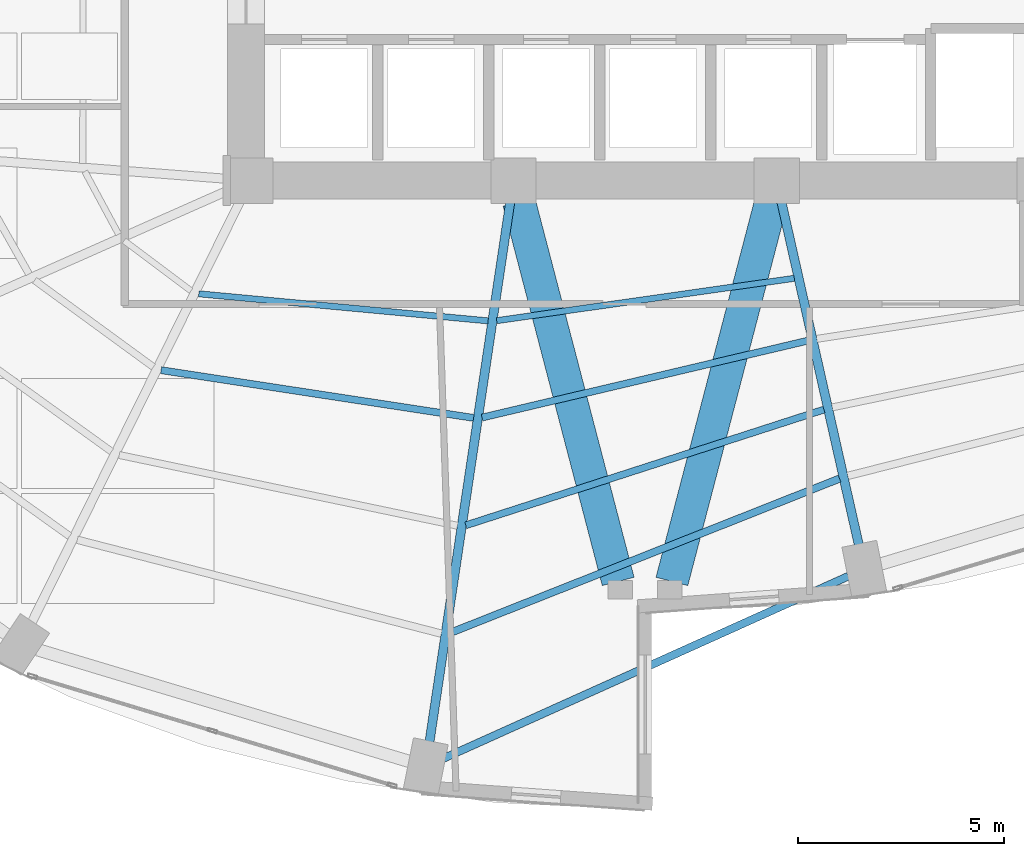
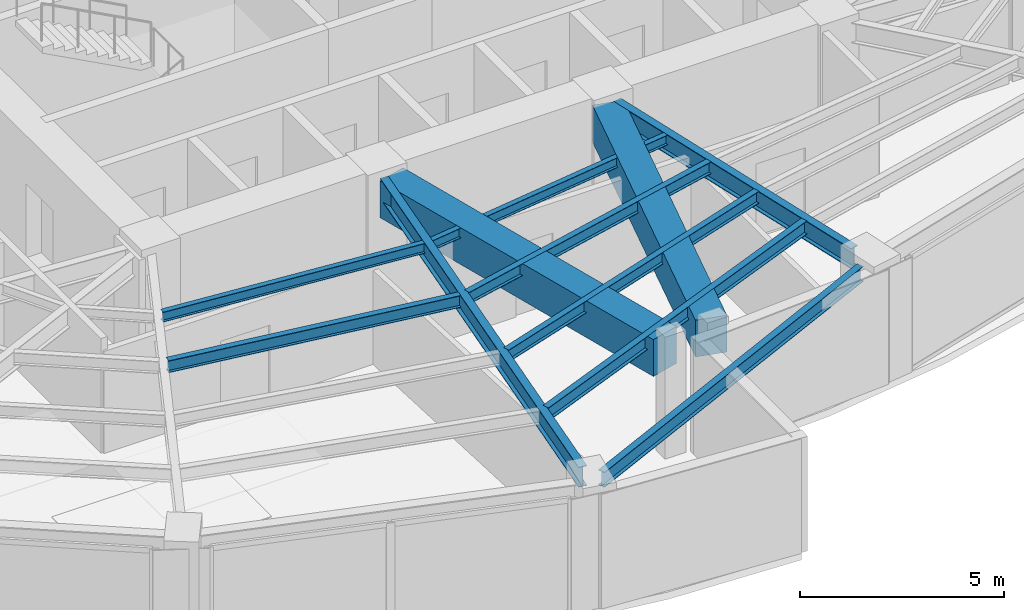
# One storey, part 6 of 24: 11 beams.
"""IFC4 building model written with IfcOpenShell, lengths in metres."""

from ifc_helpers import new_model, si_unit, direction, frame, origin, origin_2d, place, context, subcontext, project, spatial, rectangle, i_section, extrude, material, material_profile, profile_set, type_object, element, save


model = new_model("IFC4")

# Units and contexts
model_context = context("Model", 3, precision=1e-05, world=origin(), true_north=direction((0.0, 1.0)))
body_context = subcontext(model_context, "Body", "Model", "MODEL_VIEW")
ifc_project = project(units=[si_unit("LENGTHUNIT", "METRE"), si_unit("AREAUNIT", "SQUARE_METRE"), si_unit("VOLUMEUNIT", "CUBIC_METRE"), si_unit("PLANEANGLEUNIT", "RADIAN"), si_unit("MASSUNIT", "GRAM", prefix="KILO")], contexts=[model_context])

# Site, building, storey
site_placement = place(None, origin())
site = spatial("IfcSite", under=ifc_project, at=site_placement, CompositionType="ELEMENT")
building_placement = place(site_placement, origin())
building = spatial("IfcBuilding", under=site, at=building_placement, Name="Lazwardi Medical Tower", CompositionType="ELEMENT")
storey_placement = place(building_placement, frame((0.0, 0.0, 68.97607421875)))
storey = spatial("IfcBuildingStorey", under=building, at=storey_placement, Name="L17", CompositionType="ELEMENT", Elevation=68.97607421875)

# Beams
ifc_material_1 = material(Name="Concrete C70/85", Category="concrete")
ifc_material_profile_1 = material_profile(ifc_material_1, rectangle(XDim=0.800048828125, YDim=1.10009765625, at=origin_2d()), Name="RC 800x1100")
ifc_profile_set_1 = profile_set([ifc_material_profile_1], Name="Concrete C70/85")
beam_type_1 = type_object("IfcBeamType", Name="BM-CB-RC1", PredefinedType="LINTEL", material=ifc_profile_set_1)
for number, where, z_axis, x_axis, name in (
    (1, (32.935302734375, 19.88232421875, 2.8779296875), (0.252819877511, -0.967513364009, 0.0), (0.967513364009, 0.252819877511, 0.0), "Core coupling lintel CB-01 PL3 L17"),
    (2, (39.064697265625, 19.88232421875, 2.8779296875), (-0.252819877511, -0.967513364009, 0.0), (0.967513364009, -0.252819877511, 0.0), "Core coupling lintel CB-01 PL4 L17"),
):
    element("IfcBeam", number, at=place(storey_placement, frame(where, z_axis=z_axis, x_axis=x_axis)), inside=storey, type_object=beam_type_1, Name=name, PredefinedType="LINTEL", context=body_context, shape_type="SweptSolid", body=[
        extrude(rectangle(XDim=0.800048828125, YDim=1.10009765625, at=origin_2d()), origin(), (0.0, 0.0, 1.0), 9.538818359375),
    ])
ifc_material_2 = material(Name="Steel S355", Category="steel")
ifc_material_profile_2 = material_profile(ifc_material_2, i_section(OverallWidth=0.219970703125, OverallDepth=0.60009765625, WebThickness=0.011962890625, FlangeThickness=0.01904296875, at=origin_2d()), Name="IPE 600")
ifc_profile_set_2 = profile_set([ifc_material_profile_2], Name="Steel S355")
beam_type_2 = type_object("IfcBeamType", Name="BM-RG-W1", PredefinedType="BEAM", material=ifc_profile_set_2)
beam_1_placement = place(storey_placement, frame((41.203125, 11.521728515625, 3.1279296875), z_axis=(-0.22010079219, 0.975477135189, 0.0), x_axis=(-0.975477135189, -0.22010079219, 0.0)))
element("IfcBeam", 3, at=beam_1_placement, inside=storey, type_object=beam_type_2, Name="Radial girder RG-02 R01 L17", PredefinedType="BEAM", context=body_context, shape_type="SweptSolid", body=[
    extrude(i_section(OverallWidth=0.219970703125, OverallDepth=0.60009765625, WebThickness=0.011962890625, FlangeThickness=0.01904296875, at=origin_2d()), origin(), (0.0, 0.0, 1.0), 8.56640625),
])
beam_2_placement = place(storey_placement, frame((30.7548828125, 6.7294921875, 3.1279296875), z_axis=(0.147944218183, 0.98899570692, 0.0), x_axis=(-0.98899570692, 0.147944218183, 0.0)))
element("IfcBeam", 4, at=beam_2_placement, inside=storey, type_object=beam_type_2, Name="Radial girder RG-02 R16 L17", PredefinedType="BEAM", context=body_context, shape_type="SweptSolid", body=[
    extrude(i_section(OverallWidth=0.219970703125, OverallDepth=0.60009765625, WebThickness=0.011962890625, FlangeThickness=0.01904296875, at=origin_2d()), origin(), (0.0, 0.0, 1.0), 13.28759765625),
])
ifc_material_profile_3 = material_profile(ifc_material_2, i_section(OverallWidth=0.179931640625, OverallDepth=0.39990234375, WebThickness=0.008544921875, FlangeThickness=0.013427734375, at=origin_2d()), Name="IPE 400")
ifc_profile_set_3 = profile_set([ifc_material_profile_3], Name="Steel S355")
beam_type_3 = type_object("IfcBeamType", Name="BM-SJ-01", PredefinedType="JOIST", material=ifc_profile_set_3)
beam_3_placement = place(storey_placement, frame((31.245849609375, 9.396484375, 3.22802734375), z_axis=(0.929663713752, 0.368409255222, 0.0), x_axis=(-0.368409255222, 0.929663713752, 0.0)))
element("IfcBeam", 5, at=beam_3_placement, inside=storey, type_object=beam_type_3, Name="Secondary joist SJ-01 R1 B16 L17", PredefinedType="JOIST", context=body_context, shape_type="SweptSolid", body=[
    extrude(i_section(OverallWidth=0.179931640625, OverallDepth=0.39990234375, WebThickness=0.008544921875, FlangeThickness=0.013427734375, at=origin_2d()), origin(), (0.0, 0.0, 1.0), 10.2001953125),
])
ifc_material_profile_4 = material_profile(ifc_material_2, i_section(OverallWidth=0.169921875, OverallDepth=0.360107421875, WebThickness=0.008056640625, FlangeThickness=0.0126953125, at=origin_2d()), Name="IPE 360")
ifc_profile_set_4 = profile_set([ifc_material_profile_4], Name="Steel S355")
beam_type_4 = type_object("IfcBeamType", Name="BM-SJ-02", PredefinedType="JOIST", material=ifc_profile_set_4)
beam_4_placement = place(storey_placement, frame((31.64111328125, 12.018310546875, 3.248046875), z_axis=(0.951558895485, 0.307466532199, 0.0), x_axis=(-0.307466532199, 0.951558895485, 0.0)))
element("IfcBeam", 6, at=beam_4_placement, inside=storey, type_object=beam_type_4, Name="Secondary joist SJ-02 R2 B16 L17", PredefinedType="JOIST", context=body_context, shape_type="SweptSolid", body=[
    extrude(i_section(OverallWidth=0.169921875, OverallDepth=0.360107421875, WebThickness=0.008056640625, FlangeThickness=0.0126953125, at=origin_2d()), origin(), (0.0, 0.0, 1.0), 9.1513671875),
])
beam_5_placement = place(storey_placement, frame((24.23193359375, 15.790771484375, 3.248046875), z_axis=(0.988535611365, -0.150987897074, 0.0), x_axis=(0.150987897074, 0.988535611365, 0.0)))
element("IfcBeam", 7, at=beam_5_placement, inside=storey, type_object=beam_type_4, Name="Secondary joist SJ-02 R3 B15 L17", PredefinedType="JOIST", context=body_context, shape_type="SweptSolid", body=[
    extrude(i_section(OverallWidth=0.169921875, OverallDepth=0.360107421875, WebThickness=0.008056640625, FlangeThickness=0.0126953125, at=origin_2d()), origin(), (0.0, 0.0, 1.0), 7.68701171875),
])
beam_6_placement = place(storey_placement, frame((32.03662109375, 14.638427734375, 3.248046875), z_axis=(0.973240904247, 0.229787167397, 0.0), x_axis=(-0.229787167397, 0.973240904247, 0.0)))
element("IfcBeam", 8, at=beam_6_placement, inside=storey, type_object=beam_type_4, Name="Secondary joist SJ-02 R3 B16 L17", PredefinedType="JOIST", context=body_context, shape_type="SweptSolid", body=[
    extrude(i_section(OverallWidth=0.169921875, OverallDepth=0.360107421875, WebThickness=0.008056640625, FlangeThickness=0.0126953125, at=origin_2d()), origin(), (0.0, 0.0, 1.0), 8.151123046875),
])
ifc_material_profile_5 = material_profile(ifc_material_2, i_section(OverallWidth=0.14990234375, OverallDepth=0.300048828125, WebThickness=0.007080078125, FlangeThickness=0.0107421875, at=origin_2d()), Name="IPE 300")
ifc_profile_set_5 = profile_set([ifc_material_profile_5], Name="Steel S355")
beam_type_5 = type_object("IfcBeamType", Name="BM-SJ-03", PredefinedType="JOIST", material=ifc_profile_set_5)
beam_7_placement = place(storey_placement, frame((25.148193359375, 17.64794921875, 3.27783203125), z_axis=(0.995649263748, -0.093180167407, 0.0), x_axis=(0.093180167407, 0.995649263748, 0.0)))
element("IfcBeam", 9, at=beam_7_placement, inside=storey, type_object=beam_type_5, Name="Secondary joist SJ-03 R4 B15 L17", PredefinedType="JOIST", context=body_context, shape_type="SweptSolid", body=[
    extrude(i_section(OverallWidth=0.14990234375, OverallDepth=0.300048828125, WebThickness=0.007080078125, FlangeThickness=0.0107421875, at=origin_2d()), origin(), (0.0, 0.0, 1.0), 7.06640625),
])
beam_8_placement = place(storey_placement, frame((32.392333984375, 16.99462890625, 3.27783203125), z_axis=(0.99001552228, 0.140958382672, 0.0), x_axis=(-0.140958382672, 0.99001552228, 0.0)))
element("IfcBeam", 10, at=beam_8_placement, inside=storey, type_object=beam_type_5, Name="Secondary joist SJ-03 R4 B16 L17", PredefinedType="JOIST", context=body_context, shape_type="SweptSolid", body=[
    extrude(i_section(OverallWidth=0.14990234375, OverallDepth=0.300048828125, WebThickness=0.007080078125, FlangeThickness=0.0107421875, at=origin_2d()), origin(), (0.0, 0.0, 1.0), 7.30908203125),
])
ifc_material_profile_6 = material_profile(ifc_material_2, i_section(OverallWidth=0.18994140625, OverallDepth=0.449951171875, WebThickness=0.009521484375, FlangeThickness=0.0146484375, at=origin_2d()), Name="IPE 450")
ifc_profile_set_6 = profile_set([ifc_material_profile_6], Name="Steel S355")
beam_type_6 = type_object("IfcBeamType", Name="BM-SP-01", PredefinedType="SPANDREL", material=ifc_profile_set_6)
beam_9_placement = place(storey_placement, frame((31.05224609375, 6.328369140625, 3.202880859375), z_axis=(0.91184908894, 0.410525564368, 0.0), x_axis=(-0.410525564368, 0.91184908894, 0.0)))
element("IfcBeam", 11, at=beam_9_placement, inside=storey, type_object=beam_type_6, Name="Spandrel beam SP-01 B16 L17", PredefinedType="SPANDREL", context=body_context, shape_type="SweptSolid", body=[
    extrude(i_section(OverallWidth=0.18994140625, OverallDepth=0.449951171875, WebThickness=0.009521484375, FlangeThickness=0.0146484375, at=origin_2d()), origin(), (0.0, 0.0, 1.0), 10.85205078125),
])

save(model, "model.ifc")
